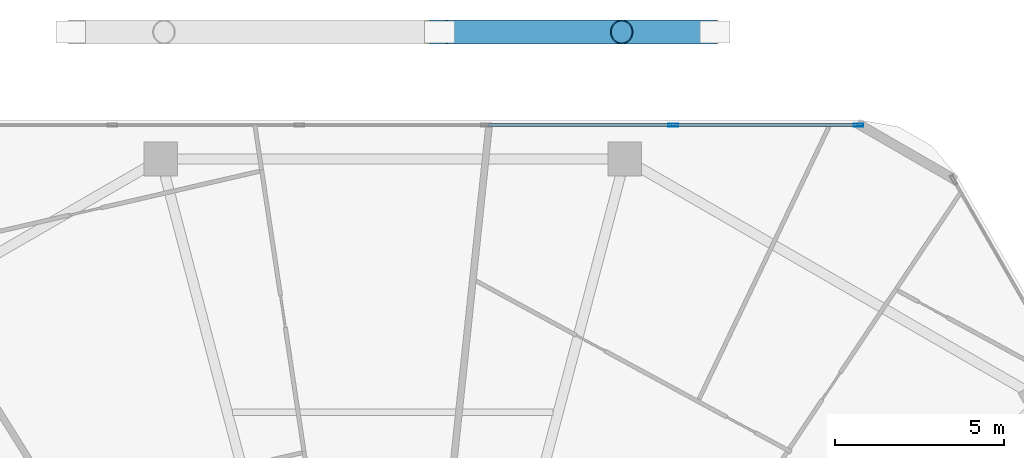
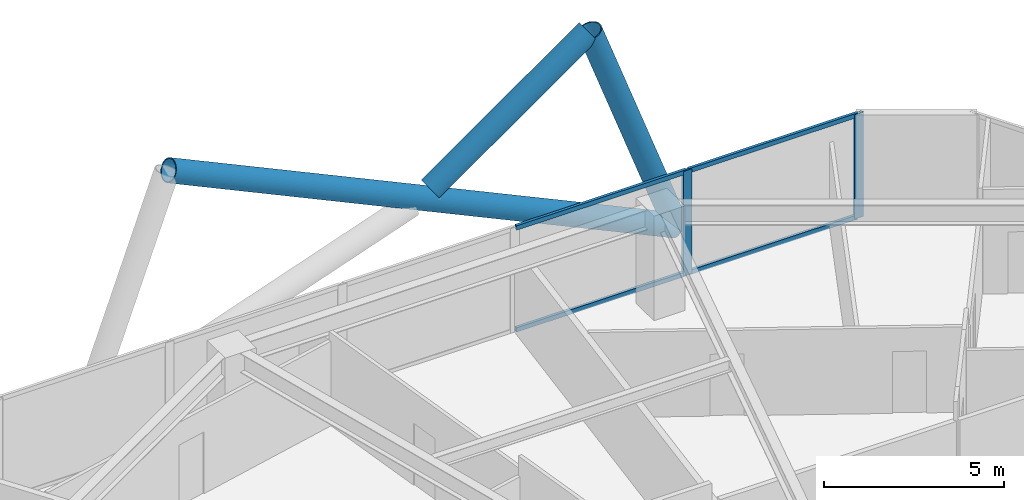
# One storey, part 19 of 30: 9 members, 1 element without a shape of its own.
"""IFC4 building model written with IfcOpenShell, lengths in metres."""

from ifc_helpers import new_model, si_unit, direction, frame, origin, origin_2d, place, context, subcontext, project, spatial, hollow_rectangle, hollow_circle, extrude, material, material_profile, profile_set, type_object, element, aggregate, save


model = new_model("IFC4")

# Units and contexts
model_context = context("Model", 3, precision=1e-05, world=origin(), true_north=direction((0.0, 1.0)))
body_context = subcontext(model_context, "Body", "Model", "MODEL_VIEW")
ifc_project = project(units=[si_unit("LENGTHUNIT", "METRE"), si_unit("AREAUNIT", "SQUARE_METRE"), si_unit("VOLUMEUNIT", "CUBIC_METRE"), si_unit("PLANEANGLEUNIT", "RADIAN"), si_unit("MASSUNIT", "GRAM", prefix="KILO")], contexts=[model_context])

# Site, building, storey
site_placement = place(None, origin())
site = spatial("IfcSite", under=ifc_project, at=site_placement, CompositionType="ELEMENT")
building_placement = place(site_placement, origin())
building = spatial("IfcBuilding", under=site, at=building_placement, Name="Zuhravey Tower", CompositionType="ELEMENT")
storey_placement = place(building_placement, frame((0.0, 0.0, 177.0)))
storey = spatial("IfcBuildingStorey", under=building, at=storey_placement, Name="L44", CompositionType="ELEMENT", Elevation=177.0)

# Curtain wall, members
ifc_material_1 = material(Name="Thermally broken anodised aluminium", Category="aluminium")
curtain_wall_type = type_object("IfcCurtainWallType", Name="Zone 1-2 Residential Curtain Wall CW3", PredefinedType="NOTDEFINED", material=ifc_material_1)
curtain_wall_placement = place(storey_placement, origin())
curtain_wall = element("IfcCurtainWall", 1, at=curtain_wall_placement, inside=storey, type_object=curtain_wall_type, Name="L44 CW3 CW-L44-F2-1", PredefinedType="NOTDEFINED")
ifc_material_2 = material(Name="Anodised aluminium", Category="aluminium")
ifc_material_profile_1 = material_profile(ifc_material_2, hollow_rectangle(XDim=0.090087890625, YDim=0.284912109375, WallThickness=0.0048828125, at=origin_2d()), Name="ALU-RHS-90x285x5")
ifc_profile_set_1 = profile_set([ifc_material_profile_1], Name="Anodised aluminium")
member_type_1 = type_object("IfcMemberType", Name="Curtain-Wall Mullion 90x180", PredefinedType="MULLION", material=ifc_profile_set_1)
member_1_placement = place(storey_placement, frame((44.316650390625, 59.18310546875, 0.0), z_axis=(0.0, 0.0, 1.0), x_axis=(0.0, 1.0, 0.0)))
member_1 = element("IfcMember", 2, at=member_1_placement, type_object=member_type_1, Name="CW3 mullion 5", PredefinedType="MULLION", context=body_context, shape_type="SweptSolid", body=[
    extrude(hollow_rectangle(XDim=0.090087890625, YDim=0.284912109375, WallThickness=0.0048828125, at=origin_2d()), origin(), (0.0, 0.0, 1.0), 3.550048828125),
])
member_2_placement = place(storey_placement, frame((49.816162109375, 59.18310546875, 0.0), z_axis=(0.0, 0.0, 1.0), x_axis=(0.0, 1.0, 0.0)))
member_2 = element("IfcMember", 3, at=member_2_placement, type_object=member_type_1, Name="CW3 mullion 6", PredefinedType="MULLION", context=body_context, shape_type="SweptSolid", body=[
    extrude(hollow_rectangle(XDim=0.090087890625, YDim=0.284912109375, WallThickness=0.0048828125, at=origin_2d()), origin(), (0.0, 0.0, 1.0), 3.550048828125),
])
ifc_material_profile_2 = material_profile(ifc_material_2, hollow_rectangle(XDim=0.090087890625, YDim=0.14990234375, WallThickness=0.0048828125, at=origin_2d()), Name="ALU-RHS-90x150x5")
ifc_profile_set_2 = profile_set([ifc_material_profile_2], Name="Anodised aluminium")
member_type_2 = type_object("IfcMemberType", Name="Curtain-Wall Transom 90x150", PredefinedType="USERDEFINED", material=ifc_profile_set_2)
member_3_placement = place(storey_placement, frame((38.817138671875, 59.18310546875, 0.044921875), z_axis=(1.0, 0.0, 0.0), x_axis=(0.0, 1.0, 0.0)))
member_3 = element("IfcMember", 4, at=member_3_placement, type_object=member_type_2, Name="CW3 transom 4.1", ObjectType="TRANSOM", PredefinedType="USERDEFINED", context=body_context, shape_type="SweptSolid", body=[
    extrude(hollow_rectangle(XDim=0.090087890625, YDim=0.14990234375, WallThickness=0.0048828125, at=origin_2d()), origin(), (0.0, 0.0, 1.0), 5.45458984375),
])
member_4_placement = place(storey_placement, frame((38.817138671875, 59.18310546875, 3.5048828125), z_axis=(1.0, 0.0, 0.0), x_axis=(0.0, 1.0, 0.0)))
member_4 = element("IfcMember", 5, at=member_4_placement, type_object=member_type_2, Name="CW3 transom 4.2", ObjectType="TRANSOM", PredefinedType="USERDEFINED", context=body_context, shape_type="SweptSolid", body=[
    extrude(hollow_rectangle(XDim=0.090087890625, YDim=0.14990234375, WallThickness=0.0048828125, at=origin_2d()), origin(), (0.0, 0.0, 1.0), 5.45458984375),
])
member_5_placement = place(storey_placement, frame((44.361572265625, 59.18310546875, 0.044921875), z_axis=(1.0, 0.0, 0.0), x_axis=(0.0, 1.0, 0.0)))
member_5 = element("IfcMember", 6, at=member_5_placement, type_object=member_type_2, Name="CW3 transom 5.1", ObjectType="TRANSOM", PredefinedType="USERDEFINED", context=body_context, shape_type="SweptSolid", body=[
    extrude(hollow_rectangle(XDim=0.090087890625, YDim=0.14990234375, WallThickness=0.0048828125, at=origin_2d()), origin(), (0.0, 0.0, 1.0), 5.409423828125),
])
member_6_placement = place(storey_placement, frame((44.361572265625, 59.18310546875, 3.5048828125), z_axis=(1.0, 0.0, 0.0), x_axis=(0.0, 1.0, 0.0)))
member_6 = element("IfcMember", 7, at=member_6_placement, type_object=member_type_2, Name="CW3 transom 5.2", ObjectType="TRANSOM", PredefinedType="USERDEFINED", context=body_context, shape_type="SweptSolid", body=[
    extrude(hollow_rectangle(XDim=0.090087890625, YDim=0.14990234375, WallThickness=0.0048828125, at=origin_2d()), origin(), (0.0, 0.0, 1.0), 5.409423828125),
])
aggregate(curtain_wall, [member_1, member_2, member_3, member_4, member_5, member_6])

# Members
ifc_material_3 = material(Name="Steel SM460", Category="steel")
ifc_material_profile_3 = material_profile(ifc_material_3, hollow_circle(Radius=0.355712890625, WallThickness=0.031982421875, at=origin_2d()), Name="CHS-711.2x32")
ifc_profile_set_3 = profile_set([ifc_material_profile_3], Name="Steel SM460")
member_type_3 = type_object("IfcMemberType", Name="Exoskeleton Zone 2 Diagrid CHS711x32", PredefinedType="BRACE", material=ifc_profile_set_3)
member_7_placement = place(storey_placement, frame((45.547607421875, 61.943115234375, -0.444091796875), z_axis=(-0.342858392965, 0.0, 0.939387099323), x_axis=(0.0, -1.0, 0.0)))
element("IfcMember", 8, at=member_7_placement, inside=storey, type_object=member_type_3, Name="L44 Face 2 Diagrid Brace 1", PredefinedType="BRACE", context=body_context, shape_type="SweptSolid", body=[
    extrude(hollow_circle(Radius=0.355712890625, WallThickness=0.031982421875, at=origin_2d()), origin(), (0.0, 0.0, 1.0), 8.0478515625),
])
member_8_placement = place(storey_placement, frame((45.511962890625, 61.943115234375, -0.444091796875), z_axis=(-0.906680162882, 0.0, 0.421818778903), x_axis=(0.0, -1.0, 0.0)))
element("IfcMember", 9, at=member_8_placement, inside=storey, type_object=member_type_3, Name="L44 Face 2 Diagrid Brace 2", PredefinedType="BRACE", context=body_context, shape_type="SweptSolid", body=[
    extrude(hollow_circle(Radius=0.355712890625, WallThickness=0.031982421875, at=origin_2d()), origin(), (0.0, 0.0, 1.0), 17.922607421875),
])
member_9_placement = place(storey_placement, frame((37.66943359375, 61.943115234375, 3.534912109375), z_axis=(0.817501799386, 0.0, 0.575926043864), x_axis=(0.0, 1.0, 0.0)))
element("IfcMember", 10, at=member_9_placement, inside=storey, type_object=member_type_3, Name="L44 Face 2 Split Diagrid Brace 3B", PredefinedType="BRACE", context=body_context, shape_type="SweptSolid", body=[
    extrude(hollow_circle(Radius=0.355712890625, WallThickness=0.031982421875, at=origin_2d()), origin(), (0.0, 0.0, 1.0), 6.205078125),
])

save(model, "model.ifc")
